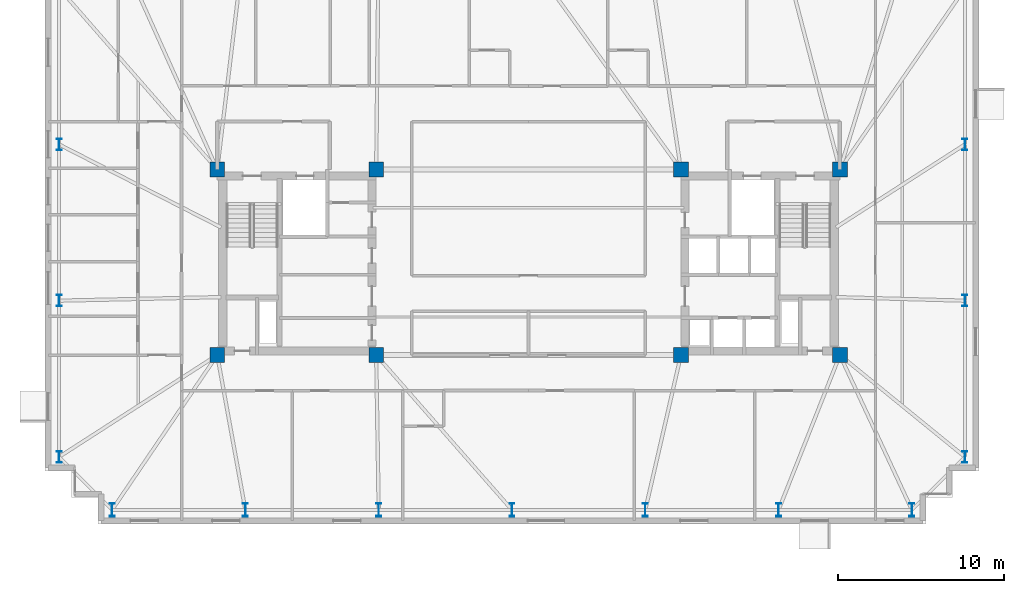
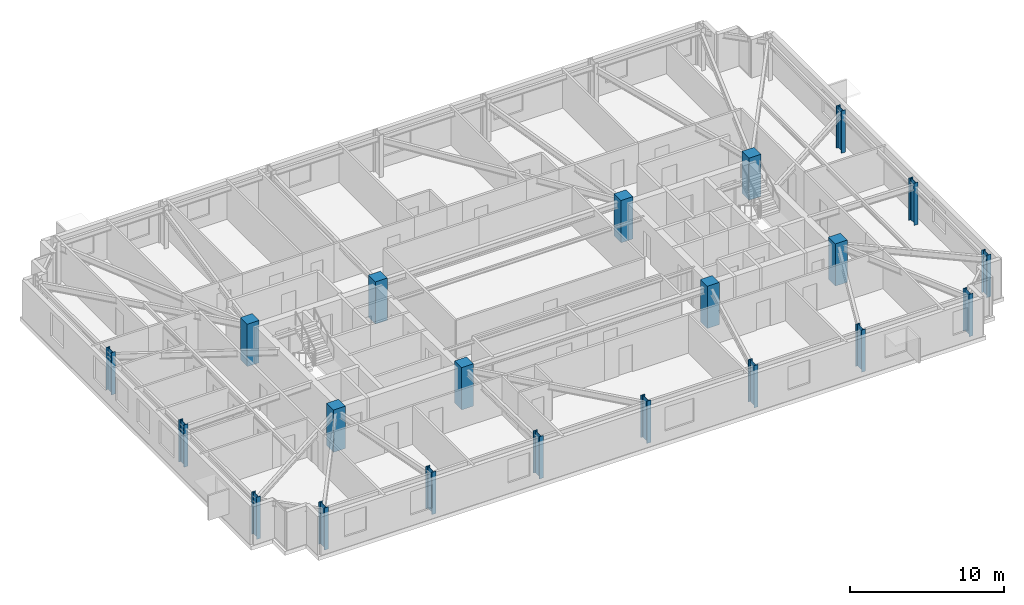
# One storey, part 1 of 17: 21 columns.
"""IFC4 building model written with IfcOpenShell, lengths in metres."""

from ifc_helpers import new_model, si_unit, direction, frame, origin, origin_2d, place, context, subcontext, project, spatial, rectangle, i_section, extrude, material, material_profile, profile_set, type_object, element, save


model = new_model("IFC4")

# Units and contexts
model_context = context("Model", 3, precision=1e-05, world=origin(), true_north=direction((0.0, 1.0)))
body_context = subcontext(model_context, "Body", "Model", "MODEL_VIEW")
ifc_project = project(units=[si_unit("LENGTHUNIT", "METRE"), si_unit("AREAUNIT", "SQUARE_METRE"), si_unit("VOLUMEUNIT", "CUBIC_METRE"), si_unit("PLANEANGLEUNIT", "RADIAN"), si_unit("MASSUNIT", "GRAM", prefix="KILO")], contexts=[model_context])

# Site, building, storey
site_placement = place(None, origin())
site = spatial("IfcSite", under=ifc_project, at=site_placement, CompositionType="ELEMENT")
building_placement = place(site_placement, origin())
building = spatial("IfcBuilding", under=site, at=building_placement, Name="Qobustan Lattice House", CompositionType="ELEMENT")
storey_placement = place(building_placement, frame((0.0, 0.0, 167.85009765625)))
storey = spatial("IfcBuildingStorey", under=building, at=storey_placement, Name="L47", CompositionType="ELEMENT", Elevation=167.85009765625)

# Columns
ifc_material_1 = material(Name="Concrete C50/60", Category="concrete")
ifc_material_profile_1 = material_profile(ifc_material_1, rectangle(XDim=0.89990234375, YDim=0.89990234375, at=origin_2d()), Name="RC900x900")
ifc_profile_set_1 = profile_set([ifc_material_profile_1], Name="Concrete C50/60")
column_type_1 = type_object("IfcColumnType", Name="COL-RC-900", PredefinedType="COLUMN", material=ifc_profile_set_1)
for number, where, z_axis, x_axis, name in (
    (1, (-18.800048828125, -5.60009765625, 0.0), (0.0, 0.0, 1.0), (1.0, 0.0, 0.0), "L47 core mega-column CW-SW"),
    (2, (-18.800048828125, 5.60009765625, 0.0), (0.0, 0.0, 1.0), (1.0, 0.0, 0.0), "L47 core mega-column CW-NW"),
    (3, (-9.199951171875, -5.60009765625, 0.0), (0.0, 0.0, 1.0), (1.0, 0.0, 0.0), "L47 core mega-column CW-SE"),
    (4, (-9.199951171875, 5.60009765625, 0.0), (0.0, 0.0, 1.0), (1.0, 0.0, 0.0), "L47 core mega-column CW-NE"),
    (5, (9.199951171875, -5.60009765625, 0.0), (0.0, 0.0, 1.0), (1.0, 0.0, 0.0), "L47 core mega-column CE-SW"),
    (6, (9.199951171875, 5.60009765625, 0.0), (0.0, 0.0, 1.0), (1.0, 0.0, 0.0), "L47 core mega-column CE-NW"),
    (7, (18.800048828125, -5.60009765625, 0.0), (0.0, 0.0, 1.0), (1.0, 0.0, 0.0), "L47 core mega-column CE-SE"),
    (8, (18.800048828125, 5.60009765625, 0.0), (0.0, 0.0, 1.0), (1.0, 0.0, 0.0), "L47 core mega-column CE-NE"),
):
    element("IfcColumn", number, at=place(storey_placement, frame(where, z_axis=z_axis, x_axis=x_axis)), inside=storey, type_object=column_type_1, Name=name, PredefinedType="COLUMN", context=body_context, shape_type="SweptSolid", body=[
        extrude(rectangle(XDim=0.89990234375, YDim=0.89990234375, at=origin_2d()), origin(), (0.0, 0.0, 1.0), 3.349853515625),
    ])
ifc_material_2 = material(Name="Steel S355", Category="steel")
ifc_material_profile_2 = material_profile(ifc_material_2, i_section(OverallWidth=0.300048828125, OverallDepth=0.699951171875, WebThickness=0.01708984375, FlangeThickness=0.031982421875, FilletRadius=0.027099609375, at=origin_2d()), Name="HEB700")
ifc_profile_set_2 = profile_set([ifc_material_profile_2], Name="Steel S355")
column_type_2 = type_object("IfcColumnType", Name="COL-ST-HEB700", PredefinedType="COLUMN", material=ifc_profile_set_2)
for number, where, z_axis, x_axis, name in (
    (9, (26.35009765625, -11.75, 0.0), (0.0, 0.0, 1.0), (1.0, 0.0, 0.0), "L47 B3 perimeter column E1"),
    (10, (26.35009765625, -2.316650390625, 0.0), (0.0, 0.0, 1.0), (1.0, 0.0, 0.0), "L47 B3 perimeter column E2"),
    (11, (26.35009765625, 7.11669921875, 0.0), (0.0, 0.0, 1.0), (1.0, 0.0, 0.0), "L47 B3 perimeter column E3"),
    (12, (-28.35009765625, 7.11669921875, 0.0), (0.0, 0.0, 1.0), (1.0, 0.0, 0.0), "L47 B3 perimeter column W2"),
    (13, (-28.35009765625, -2.316650390625, 0.0), (0.0, 0.0, 1.0), (1.0, 0.0, 0.0), "L47 B3 perimeter column W3"),
    (14, (-28.35009765625, -11.75, 0.0), (0.0, 0.0, 1.0), (1.0, 0.0, 0.0), "L47 B3 perimeter column W4"),
):
    element("IfcColumn", number, at=place(storey_placement, frame(where, z_axis=z_axis, x_axis=x_axis)), inside=storey, type_object=column_type_2, Name=name, PredefinedType="COLUMN", context=body_context, shape_type="SweptSolid", body=[
        extrude(i_section(OverallWidth=0.300048828125, OverallDepth=0.699951171875, WebThickness=0.01708984375, FlangeThickness=0.031982421875, FilletRadius=0.027099609375, at=origin_2d()), origin(), (0.0, 0.0, 1.0), 3.349853515625),
    ])
ifc_material_3 = material(Name="Steel S355", Category="steel")
ifc_material_profile_3 = material_profile(ifc_material_3, i_section(OverallWidth=0.300048828125, OverallDepth=0.800048828125, WebThickness=0.017578125, FlangeThickness=0.032958984375, FilletRadius=0.030029296875, at=origin_2d()), Name="HEB800")
ifc_profile_set_3 = profile_set([ifc_material_profile_3], Name="Steel S355")
column_type_3 = type_object("IfcColumnType", Name="COL-ST-HEB800", PredefinedType="COLUMN", material=ifc_profile_set_3)
for number, where, z_axis, x_axis, name in (
    (15, (-25.14990234375, -14.949951171875, 0.0), (0.0, 0.0, 1.0), (1.0, 0.0, 0.0), "L47 B3 perimeter column S1"),
    (16, (-17.10009765625, -14.949951171875, 0.0), (0.0, 0.0, 1.0), (1.0, 0.0, 0.0), "L47 B3 perimeter column S2"),
    (17, (-9.050048828125, -14.949951171875, 0.0), (0.0, 0.0, 1.0), (1.0, 0.0, 0.0), "L47 B3 perimeter column S3"),
    (18, (-1.0, -14.949951171875, 0.0), (0.0, 0.0, 1.0), (1.0, 0.0, 0.0), "L47 B3 perimeter column S4"),
    (19, (7.050048828125, -14.949951171875, 0.0), (0.0, 0.0, 1.0), (1.0, 0.0, 0.0), "L47 B3 perimeter column S5"),
    (20, (15.10009765625, -14.949951171875, 0.0), (0.0, 0.0, 1.0), (1.0, 0.0, 0.0), "L47 B3 perimeter column S6"),
    (21, (23.14990234375, -14.949951171875, 0.0), (0.0, 0.0, 1.0), (1.0, 0.0, 0.0), "L47 B3 perimeter column S7"),
):
    element("IfcColumn", number, at=place(storey_placement, frame(where, z_axis=z_axis, x_axis=x_axis)), inside=storey, type_object=column_type_3, Name=name, PredefinedType="COLUMN", context=body_context, shape_type="SweptSolid", body=[
        extrude(i_section(OverallWidth=0.300048828125, OverallDepth=0.800048828125, WebThickness=0.017578125, FlangeThickness=0.032958984375, FilletRadius=0.030029296875, at=origin_2d()), origin(), (0.0, 0.0, 1.0), 3.349853515625),
    ])

save(model, "model.ifc")
